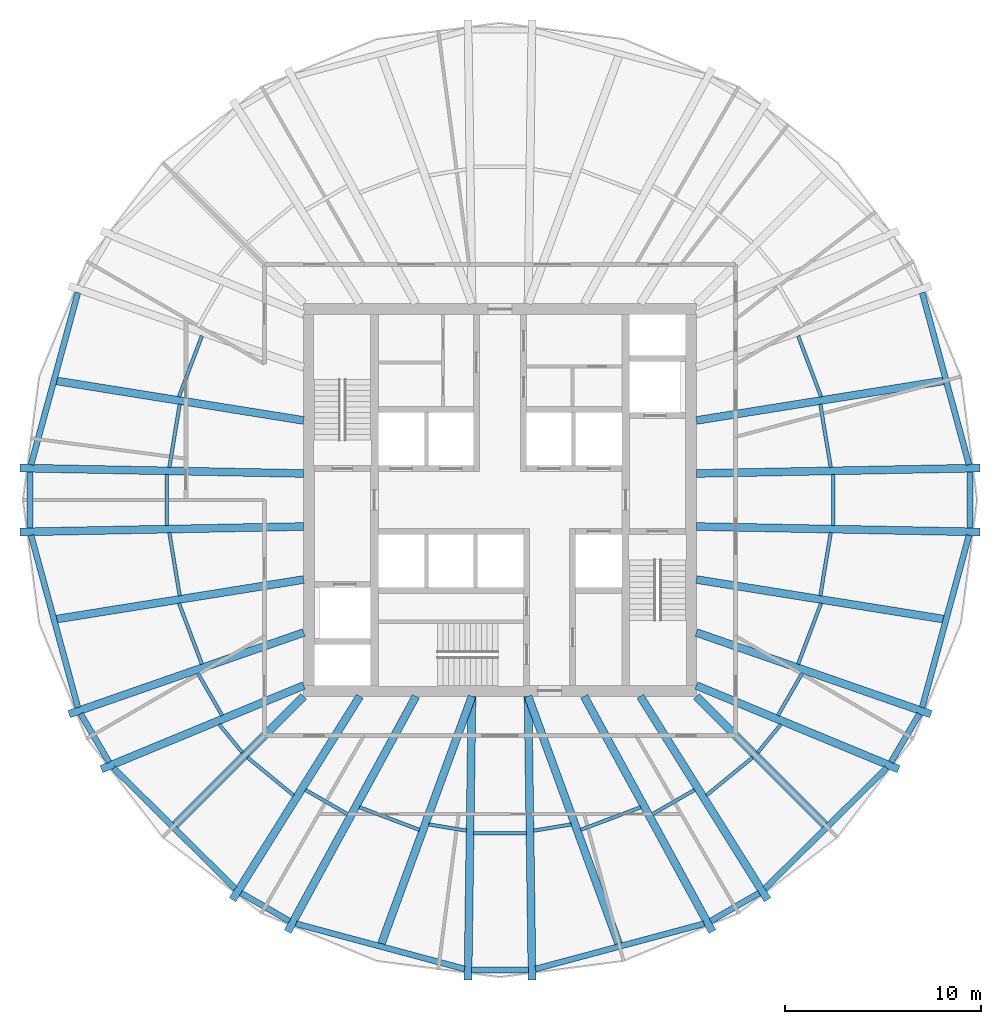
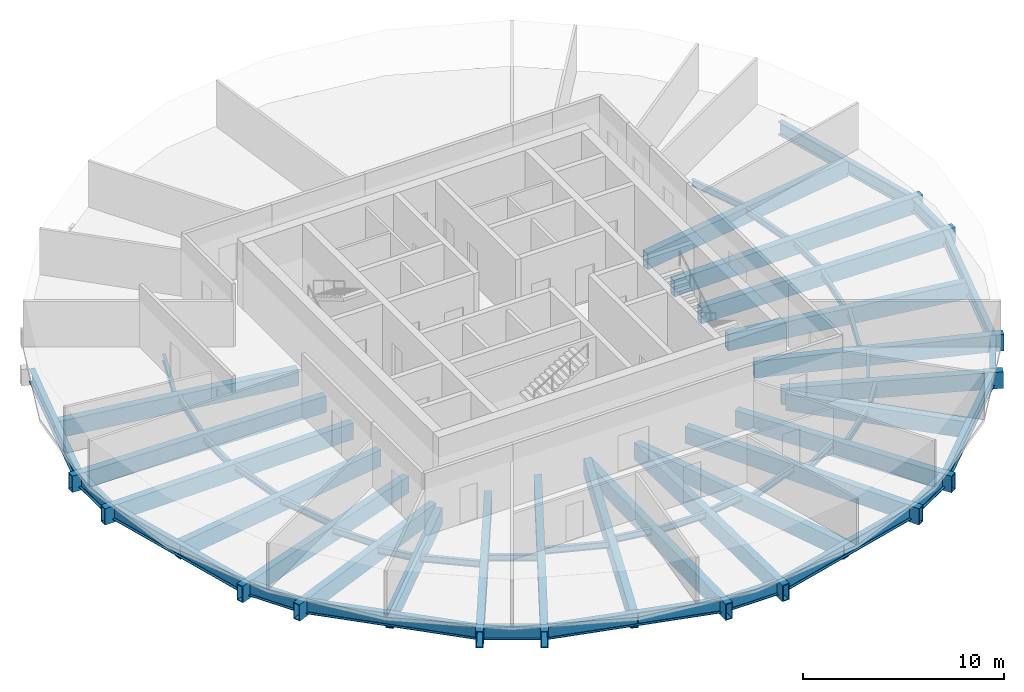
# One storey, part 1 of 6: 60 beams.
"""IFC4 building model written with IfcOpenShell, lengths in metres."""

from ifc_helpers import new_model, si_unit, direction, frame, origin, origin_2d, place, context, subcontext, project, spatial, hollow_rectangle, i_section, extrude, material, material_profile, profile_set, type_object, element, save


model = new_model("IFC4")

# Units and contexts
model_context = context("Model", 3, precision=1e-05, world=origin(), true_north=direction((0.0, 1.0)))
body_context = subcontext(model_context, "Body", "Model", "MODEL_VIEW")
ifc_project = project(units=[si_unit("LENGTHUNIT", "METRE"), si_unit("AREAUNIT", "SQUARE_METRE"), si_unit("VOLUMEUNIT", "CUBIC_METRE"), si_unit("PLANEANGLEUNIT", "RADIAN"), si_unit("MASSUNIT", "GRAM", prefix="KILO")], contexts=[model_context])

# Site, building, storey
site_placement = place(None, origin())
site = spatial("IfcSite", under=ifc_project, at=site_placement, CompositionType="ELEMENT")
building_placement = place(site_placement, origin())
building = spatial("IfcBuilding", under=site, at=building_placement, Name="Golbaran Civic Tower", CompositionType="ELEMENT")
storey_placement = place(building_placement, frame((0.0, 0.0, 146.0)))
storey = spatial("IfcBuildingStorey", under=building, at=storey_placement, Name="L35", CompositionType="ELEMENT", Elevation=146.0)

# Beams
ifc_material = material(Name="Steel S355", Category="steel")
ifc_material_profile_1 = material_profile(ifc_material, i_section(OverallWidth=0.300048828125, OverallDepth=0.800048828125, WebThickness=0.017578125, FlangeThickness=0.032958984375, FilletRadius=0.030029296875, at=origin_2d()), Name="HEB 800")
ifc_profile_set_1 = profile_set([ifc_material_profile_1], Name="Steel S355")
beam_type_1 = type_object("IfcBeamType", Name="EDGE BEAM HEB 800", PredefinedType="BEAM", material=ifc_profile_set_1)
for number, where, z_axis, x_axis, name in (
    (1, (23.882568359375, 1.79736328125, -0.60009765625), (-0.262630563673, 0.964896464407, 0.0), (-0.964896464407, -0.262630563673, 0.0), "Edge beam 3.75 L35"),
    (2, (-21.49755859375, 10.559814453125, -0.60009765625), (-0.262630563673, -0.964896464407, 0.0), (0.964896464407, -0.262630563673, 0.0), "Edge beam 153.75 L35"),
):
    element("IfcBeam", number, at=place(storey_placement, frame(where, z_axis=z_axis, x_axis=x_axis)), inside=storey, type_object=beam_type_1, Name=name, PredefinedType="BEAM", context=body_context, shape_type="SweptSolid", body=[
        extrude(i_section(OverallWidth=0.300048828125, OverallDepth=0.800048828125, WebThickness=0.017578125, FlangeThickness=0.032958984375, FilletRadius=0.030029296875, at=origin_2d()), origin(), (0.0, 0.0, 1.0), 9.081298828125),
    ])
beam_1_placement = place(storey_placement, frame((-23.931396484375, 1.438232421875, -0.60009765625), z_axis=(0.0, -1.0, 0.0), x_axis=(1.0, 0.0, 0.0)))
element("IfcBeam", 3, at=beam_1_placement, inside=storey, type_object=beam_type_1, Name="Edge beam 176.25 L35", PredefinedType="BEAM", context=body_context, shape_type="SweptSolid", body=[
    extrude(i_section(OverallWidth=0.300048828125, OverallDepth=0.800048828125, WebThickness=0.017578125, FlangeThickness=0.032958984375, FilletRadius=0.030029296875, at=origin_2d()), origin(), (0.0, 0.0, 1.0), 2.87646484375),
])
beam_2_placement = place(storey_placement, frame((-23.882568359375, -1.79736328125, -0.60009765625), z_axis=(0.262630563673, -0.964896464407, 0.0), x_axis=(0.964896464407, 0.262630563673, 0.0)))
element("IfcBeam", 4, at=beam_2_placement, inside=storey, type_object=beam_type_1, Name="Edge beam 183.75 L35", PredefinedType="BEAM", context=body_context, shape_type="SweptSolid", body=[
    extrude(i_section(OverallWidth=0.300048828125, OverallDepth=0.800048828125, WebThickness=0.017578125, FlangeThickness=0.032958984375, FilletRadius=0.030029296875, at=origin_2d()), origin(), (0.0, 0.0, 1.0), 9.081298828125),
])
beam_3_placement = place(storey_placement, frame((-21.357177734375, -10.89208984375, -0.60009765625), z_axis=(0.506444074261, -0.862272810452, 0.0), x_axis=(0.862272810452, 0.506444074261, 0.0)))
element("IfcBeam", 5, at=beam_3_placement, inside=storey, type_object=beam_type_1, Name="Edge beam 206.25 L35", PredefinedType="BEAM", context=body_context, shape_type="SweptSolid", body=[
    extrude(i_section(OverallWidth=0.300048828125, OverallDepth=0.800048828125, WebThickness=0.017578125, FlangeThickness=0.032958984375, FilletRadius=0.030029296875, at=origin_2d()), origin(), (0.0, 0.0, 1.0), 2.852783203125),
])
beam_4_placement = place(storey_placement, frame((-19.681884765625, -13.646240234375, -0.60009765625), z_axis=(0.709897225129, -0.704305281646, 0.0), x_axis=(0.704305281646, 0.709897225129, 0.0)))
element("IfcBeam", 6, at=beam_4_placement, inside=storey, type_object=beam_type_1, Name="Edge beam 213.75 L35", PredefinedType="BEAM", context=body_context, shape_type="SweptSolid", body=[
    extrude(i_section(OverallWidth=0.300048828125, OverallDepth=0.800048828125, WebThickness=0.017578125, FlangeThickness=0.032958984375, FilletRadius=0.030029296875, at=origin_2d()), origin(), (0.0, 0.0, 1.0), 8.73193359375),
])
beam_5_placement = place(storey_placement, frame((-13.196044921875, -20.01611328125, -0.60009765625), z_axis=(0.866144257683, -0.49979408248, 0.0), x_axis=(0.49979408248, 0.866144257683, 0.0)))
element("IfcBeam", 7, at=beam_5_placement, inside=storey, type_object=beam_type_1, Name="Edge beam 236.25 L35", PredefinedType="BEAM", context=body_context, shape_type="SweptSolid", body=[
    extrude(i_section(OverallWidth=0.300048828125, OverallDepth=0.800048828125, WebThickness=0.017578125, FlangeThickness=0.032958984375, FilletRadius=0.030029296875, at=origin_2d()), origin(), (0.0, 0.0, 1.0), 2.852294921875),
])
beam_6_placement = place(storey_placement, frame((-10.390869140625, -21.57958984375, -0.60009765625), z_axis=(0.965864791698, -0.259046721958, 0.0), x_axis=(0.259046721958, 0.965864791698, 0.0)))
element("IfcBeam", 8, at=beam_6_placement, inside=storey, type_object=beam_type_1, Name="Edge beam 243.75 L35", PredefinedType="BEAM", context=body_context, shape_type="SweptSolid", body=[
    extrude(i_section(OverallWidth=0.300048828125, OverallDepth=0.800048828125, WebThickness=0.017578125, FlangeThickness=0.032958984375, FilletRadius=0.030029296875, at=origin_2d()), origin(), (0.0, 0.0, 1.0), 8.89111328125),
])
beam_7_placement = place(storey_placement, frame((-1.444091796875, -23.930908203125, -0.60009765625), z_axis=(1.0, 0.0, 0.0), x_axis=(0.0, 1.0, 0.0)))
element("IfcBeam", 9, at=beam_7_placement, inside=storey, type_object=beam_type_1, Name="Edge beam 266.25 L35", PredefinedType="BEAM", context=body_context, shape_type="SweptSolid", body=[
    extrude(i_section(OverallWidth=0.300048828125, OverallDepth=0.800048828125, WebThickness=0.017578125, FlangeThickness=0.032958984375, FilletRadius=0.030029296875, at=origin_2d()), origin(), (0.0, 0.0, 1.0), 2.88818359375),
])
beam_8_placement = place(storey_placement, frame((1.80322265625, -23.8828125, -0.60009765625), z_axis=(0.965864791698, 0.259046721958, 0.0), x_axis=(-0.259046721958, 0.965864791698, 0.0)))
element("IfcBeam", 10, at=beam_8_placement, inside=storey, type_object=beam_type_1, Name="Edge beam 273.75 L35", PredefinedType="BEAM", context=body_context, shape_type="SweptSolid", body=[
    extrude(i_section(OverallWidth=0.300048828125, OverallDepth=0.800048828125, WebThickness=0.017578125, FlangeThickness=0.032958984375, FilletRadius=0.030029296875, at=origin_2d()), origin(), (0.0, 0.0, 1.0), 8.89111328125),
])
beam_9_placement = place(storey_placement, frame((10.7255859375, -21.441650390625, -0.60009765625), z_axis=(0.866144257683, 0.49979408248, 0.0), x_axis=(-0.49979408248, 0.866144257683, 0.0)))
element("IfcBeam", 11, at=beam_9_placement, inside=storey, type_object=beam_type_1, Name="Edge beam 296.25 L35", PredefinedType="BEAM", context=body_context, shape_type="SweptSolid", body=[
    extrude(i_section(OverallWidth=0.300048828125, OverallDepth=0.800048828125, WebThickness=0.017578125, FlangeThickness=0.032958984375, FilletRadius=0.030029296875, at=origin_2d()), origin(), (0.0, 0.0, 1.0), 2.852294921875),
])
beam_10_placement = place(storey_placement, frame((13.483154296875, -19.796142578125, -0.60009765625), z_axis=(0.709897225129, 0.704305281646, 0.0), x_axis=(-0.704305281646, 0.709897225129, 0.0)))
element("IfcBeam", 12, at=beam_10_placement, inside=storey, type_object=beam_type_1, Name="Edge beam 303.75 L35", PredefinedType="BEAM", context=body_context, shape_type="SweptSolid", body=[
    extrude(i_section(OverallWidth=0.300048828125, OverallDepth=0.800048828125, WebThickness=0.017578125, FlangeThickness=0.032958984375, FilletRadius=0.030029296875, at=origin_2d()), origin(), (0.0, 0.0, 1.0), 8.73193359375),
])
beam_11_placement = place(storey_placement, frame((19.912353515625, -13.35205078125, -0.60009765625), z_axis=(0.506444074261, 0.862272810452, 0.0), x_axis=(-0.862272810452, 0.506444074261, 0.0)))
element("IfcBeam", 13, at=beam_11_placement, inside=storey, type_object=beam_type_1, Name="Edge beam 326.25 L35", PredefinedType="BEAM", context=body_context, shape_type="SweptSolid", body=[
    extrude(i_section(OverallWidth=0.300048828125, OverallDepth=0.800048828125, WebThickness=0.017578125, FlangeThickness=0.032958984375, FilletRadius=0.030029296875, at=origin_2d()), origin(), (0.0, 0.0, 1.0), 2.852783203125),
])
beam_12_placement = place(storey_placement, frame((21.49755859375, -10.559814453125, -0.60009765625), z_axis=(0.262630563673, 0.964896464407, 0.0), x_axis=(-0.964896464407, 0.262630563673, 0.0)))
element("IfcBeam", 14, at=beam_12_placement, inside=storey, type_object=beam_type_1, Name="Edge beam 333.75 L35", PredefinedType="BEAM", context=body_context, shape_type="SweptSolid", body=[
    extrude(i_section(OverallWidth=0.300048828125, OverallDepth=0.800048828125, WebThickness=0.017578125, FlangeThickness=0.032958984375, FilletRadius=0.030029296875, at=origin_2d()), origin(), (0.0, 0.0, 1.0), 9.081298828125),
])
beam_13_placement = place(storey_placement, frame((23.931396484375, -1.438232421875, -0.60009765625), z_axis=(0.0, 1.0, 0.0), x_axis=(-1.0, 0.0, 0.0)))
element("IfcBeam", 15, at=beam_13_placement, inside=storey, type_object=beam_type_1, Name="Edge beam 356.25 L35", PredefinedType="BEAM", context=body_context, shape_type="SweptSolid", body=[
    extrude(i_section(OverallWidth=0.300048828125, OverallDepth=0.800048828125, WebThickness=0.017578125, FlangeThickness=0.032958984375, FilletRadius=0.030029296875, at=origin_2d()), origin(), (0.0, 0.0, 1.0), 2.87646484375),
])
ifc_material_profile_2 = material_profile(ifc_material, i_section(OverallWidth=0.179931640625, OverallDepth=0.39990234375, WebThickness=0.008544921875, FlangeThickness=0.013427734375, FilletRadius=0.02099609375, at=origin_2d()), Name="IPE 400")
ifc_profile_set_2 = profile_set([ifc_material_profile_2], Name="Steel S355")
beam_type_2 = type_object("IfcBeamType", Name="FLOOR INFILL BEAM IPE 400", PredefinedType="BEAM", material=ifc_profile_set_2)
beam_14_placement = place(storey_placement, frame((16.841552734375, 1.66162109375, -0.39990234375), z_axis=(-0.162795867055, 0.986659771993, 0.0), x_axis=(-0.986659771993, -0.162795867055, 0.0)))
element("IfcBeam", 16, at=beam_14_placement, inside=storey, type_object=beam_type_2, Name="Infill beam 9.37 L35", PredefinedType="BEAM", context=body_context, shape_type="SweptSolid", body=[
    extrude(i_section(OverallWidth=0.179931640625, OverallDepth=0.39990234375, WebThickness=0.008544921875, FlangeThickness=0.013427734375, FilletRadius=0.02099609375, at=origin_2d()), origin(), (0.0, 0.0, 1.0), 3.26025390625),
])
for number, where, z_axis, x_axis, name in (
    (17, (16.35205078125, 5.249755859375, -0.39990234375), (-0.352338080628, 0.935872788866, 0.0), (-0.935872788866, -0.352338080628, 0.0), "Infill beam 20.63 L35"),
    (18, (-15.180419921875, 8.36181640625, -0.39990234375), (-0.352338080628, -0.935872788866, 0.0), (0.935872788866, -0.352338080628, 0.0), "Infill beam 159.37 L35"),
):
    element("IfcBeam", number, at=place(storey_placement, frame(where, z_axis=z_axis, x_axis=x_axis)), inside=storey, type_object=beam_type_2, Name=name, PredefinedType="BEAM", context=body_context, shape_type="SweptSolid", body=[
        extrude(i_section(OverallWidth=0.179931640625, OverallDepth=0.39990234375, WebThickness=0.008544921875, FlangeThickness=0.013427734375, FilletRadius=0.02099609375, at=origin_2d()), origin(), (0.0, 0.0, 1.0), 3.3251953125),
    ])
beam_15_placement = place(storey_placement, frame((-16.310791015625, 4.87841796875, -0.39990234375), z_axis=(-0.162795867055, -0.986659771993, 0.0), x_axis=(0.986659771993, -0.162795867055, 0.0)))
element("IfcBeam", 19, at=beam_15_placement, inside=storey, type_object=beam_type_2, Name="Infill beam 170.63 L35", PredefinedType="BEAM", context=body_context, shape_type="SweptSolid", body=[
    extrude(i_section(OverallWidth=0.179931640625, OverallDepth=0.39990234375, WebThickness=0.008544921875, FlangeThickness=0.013427734375, FilletRadius=0.02099609375, at=origin_2d()), origin(), (0.0, 0.0, 1.0), 3.26025390625),
])
beam_16_placement = place(storey_placement, frame((-16.965576171875, 1.303955078125, -0.39990234375), z_axis=(0.0, -1.0, 0.0), x_axis=(1.0, 0.0, 0.0)))
element("IfcBeam", 20, at=beam_16_placement, inside=storey, type_object=beam_type_2, Name="Infill beam 180.00 L35", PredefinedType="BEAM", context=body_context, shape_type="SweptSolid", body=[
    extrude(i_section(OverallWidth=0.179931640625, OverallDepth=0.39990234375, WebThickness=0.008544921875, FlangeThickness=0.013427734375, FilletRadius=0.02099609375, at=origin_2d()), origin(), (0.0, 0.0, 1.0), 2.60791015625),
])
beam_17_placement = place(storey_placement, frame((-16.841552734375, -1.66162109375, -0.39990234375), z_axis=(0.162795867055, -0.986659771993, 0.0), x_axis=(0.986659771993, 0.162795867055, 0.0)))
element("IfcBeam", 21, at=beam_17_placement, inside=storey, type_object=beam_type_2, Name="Infill beam 189.37 L35", PredefinedType="BEAM", context=body_context, shape_type="SweptSolid", body=[
    extrude(i_section(OverallWidth=0.179931640625, OverallDepth=0.39990234375, WebThickness=0.008544921875, FlangeThickness=0.013427734375, FilletRadius=0.02099609375, at=origin_2d()), origin(), (0.0, 0.0, 1.0), 3.26025390625),
])
beam_18_placement = place(storey_placement, frame((-16.35205078125, -5.249755859375, -0.39990234375), z_axis=(0.352338080628, -0.935872788866, 0.0), x_axis=(0.935872788866, 0.352338080628, 0.0)))
element("IfcBeam", 22, at=beam_18_placement, inside=storey, type_object=beam_type_2, Name="Infill beam 200.63 L35", PredefinedType="BEAM", context=body_context, shape_type="SweptSolid", body=[
    extrude(i_section(OverallWidth=0.179931640625, OverallDepth=0.39990234375, WebThickness=0.008544921875, FlangeThickness=0.013427734375, FilletRadius=0.02099609375, at=origin_2d()), origin(), (0.0, 0.0, 1.0), 3.3251953125),
])
beam_19_placement = place(storey_placement, frame((-15.3935546875, -8.817138671875, -0.39990234375), z_axis=(0.499983108224, -0.866035156036, 0.0), x_axis=(0.866035156036, 0.499983108224, 0.0)))
element("IfcBeam", 23, at=beam_19_placement, inside=storey, type_object=beam_type_2, Name="Infill beam 210.00 L35", PredefinedType="BEAM", context=body_context, shape_type="SweptSolid", body=[
    extrude(i_section(OverallWidth=0.179931640625, OverallDepth=0.39990234375, WebThickness=0.008544921875, FlangeThickness=0.013427734375, FilletRadius=0.02099609375, at=origin_2d()), origin(), (0.0, 0.0, 1.0), 2.486328125),
])
beam_20_placement = place(storey_placement, frame((-14.30419921875, -11.423583984375, -0.39990234375), z_axis=(0.634348693191, -0.773047046076, 0.0), x_axis=(0.773047046076, 0.634348693191, 0.0)))
element("IfcBeam", 24, at=beam_20_placement, inside=storey, type_object=beam_type_2, Name="Infill beam 219.37 L35", PredefinedType="BEAM", context=body_context, shape_type="SweptSolid", body=[
    extrude(i_section(OverallWidth=0.179931640625, OverallDepth=0.39990234375, WebThickness=0.008544921875, FlangeThickness=0.013427734375, FilletRadius=0.02099609375, at=origin_2d()), origin(), (0.0, 0.0, 1.0), 1.86572265625),
])
beam_21_placement = place(storey_placement, frame((-12.859619140625, -13.114013671875, -0.39990234375), z_axis=(0.773044086455, -0.634352299907, 0.0), x_axis=(0.634352299907, 0.773044086455, 0.0)))
element("IfcBeam", 25, at=beam_21_placement, inside=storey, type_object=beam_type_2, Name="Infill beam 230.63 L35", PredefinedType="BEAM", context=body_context, shape_type="SweptSolid", body=[
    extrude(i_section(OverallWidth=0.179931640625, OverallDepth=0.39990234375, WebThickness=0.008544921875, FlangeThickness=0.013427734375, FilletRadius=0.02099609375, at=origin_2d()), origin(), (0.0, 0.0, 1.0), 3.0400390625),
])
beam_22_placement = place(storey_placement, frame((-9.90966796875, -14.762451171875, -0.39990234375), z_axis=(0.866005271205, -0.500034869029, 0.0), x_axis=(0.500034869029, 0.866005271205, 0.0)))
element("IfcBeam", 26, at=beam_22_placement, inside=storey, type_object=beam_type_2, Name="Infill beam 240.00 L35", PredefinedType="BEAM", context=body_context, shape_type="SweptSolid", body=[
    extrude(i_section(OverallWidth=0.179931640625, OverallDepth=0.39990234375, WebThickness=0.008544921875, FlangeThickness=0.013427734375, FilletRadius=0.02099609375, at=origin_2d()), origin(), (0.0, 0.0, 1.0), 2.480224609375),
])
beam_23_placement = place(storey_placement, frame((-7.158447265625, -15.64794921875, -0.39990234375), z_axis=(0.93588812871, -0.352297332575, 0.0), x_axis=(0.352297332575, 0.93588812871, 0.0)))
element("IfcBeam", 27, at=beam_23_placement, inside=storey, type_object=beam_type_2, Name="Infill beam 249.37 L35", PredefinedType="BEAM", context=body_context, shape_type="SweptSolid", body=[
    extrude(i_section(OverallWidth=0.179931640625, OverallDepth=0.39990234375, WebThickness=0.008544921875, FlangeThickness=0.013427734375, FilletRadius=0.02099609375, at=origin_2d()), origin(), (0.0, 0.0, 1.0), 3.258544921875),
])
beam_24_placement = place(storey_placement, frame((-3.625244140625, -16.5224609375, -0.39990234375), z_axis=(0.986640247063, -0.162914157994, 0.0), x_axis=(0.162914157994, 0.986640247063, 0.0)))
element("IfcBeam", 28, at=beam_24_placement, inside=storey, type_object=beam_type_2, Name="Infill beam 260.63 L35", PredefinedType="BEAM", context=body_context, shape_type="SweptSolid", body=[
    extrude(i_section(OverallWidth=0.179931640625, OverallDepth=0.39990234375, WebThickness=0.008544921875, FlangeThickness=0.013427734375, FilletRadius=0.02099609375, at=origin_2d()), origin(), (0.0, 0.0, 1.0), 1.94677734375),
])
beam_25_placement = place(storey_placement, frame((-1.34619140625, -16.965576171875, -0.39990234375), z_axis=(1.0, 0.0, 0.0), x_axis=(0.0, 1.0, 0.0)))
element("IfcBeam", 29, at=beam_25_placement, inside=storey, type_object=beam_type_2, Name="Infill beam 270.00 L35", PredefinedType="BEAM", context=body_context, shape_type="SweptSolid", body=[
    extrude(i_section(OverallWidth=0.179931640625, OverallDepth=0.39990234375, WebThickness=0.008544921875, FlangeThickness=0.013427734375, FilletRadius=0.02099609375, at=origin_2d()), origin(), (0.0, 0.0, 1.0), 2.6923828125),
])
beam_26_placement = place(storey_placement, frame((1.70458984375, -16.839599609375, -0.39990234375), z_axis=(0.986640247063, 0.162914157994, 0.0), x_axis=(-0.162914157994, 0.986640247063, 0.0)))
element("IfcBeam", 30, at=beam_26_placement, inside=storey, type_object=beam_type_2, Name="Infill beam 279.37 L35", PredefinedType="BEAM", context=body_context, shape_type="SweptSolid", body=[
    extrude(i_section(OverallWidth=0.179931640625, OverallDepth=0.39990234375, WebThickness=0.008544921875, FlangeThickness=0.013427734375, FilletRadius=0.02099609375, at=origin_2d()), origin(), (0.0, 0.0, 1.0), 1.94677734375),
])
beam_27_placement = place(storey_placement, frame((4.10888671875, -16.7958984375, -0.39990234375), z_axis=(0.93588812871, 0.352297332575, 0.0), x_axis=(-0.352297332575, 0.93588812871, 0.0)))
element("IfcBeam", 31, at=beam_27_placement, inside=storey, type_object=beam_type_2, Name="Infill beam 290.63 L35", PredefinedType="BEAM", context=body_context, shape_type="SweptSolid", body=[
    extrude(i_section(OverallWidth=0.179931640625, OverallDepth=0.39990234375, WebThickness=0.008544921875, FlangeThickness=0.013427734375, FilletRadius=0.02099609375, at=origin_2d()), origin(), (0.0, 0.0, 1.0), 3.258544921875),
])
beam_28_placement = place(storey_placement, frame((7.76171875, -16.002685546875, -0.39990234375), z_axis=(0.866005271205, 0.500034869029, 0.0), x_axis=(-0.500034869029, 0.866005271205, 0.0)))
element("IfcBeam", 32, at=beam_28_placement, inside=storey, type_object=beam_type_2, Name="Infill beam 300.00 L35", PredefinedType="BEAM", context=body_context, shape_type="SweptSolid", body=[
    extrude(i_section(OverallWidth=0.179931640625, OverallDepth=0.39990234375, WebThickness=0.008544921875, FlangeThickness=0.013427734375, FilletRadius=0.02099609375, at=origin_2d()), origin(), (0.0, 0.0, 1.0), 2.480224609375),
])
beam_29_placement = place(storey_placement, frame((10.509521484375, -15.04248046875, -0.39990234375), z_axis=(0.773044086455, 0.634352299907, 0.0), x_axis=(-0.634352299907, 0.773044086455, 0.0)))
element("IfcBeam", 33, at=beam_29_placement, inside=storey, type_object=beam_type_2, Name="Infill beam 309.37 L35", PredefinedType="BEAM", context=body_context, shape_type="SweptSolid", body=[
    extrude(i_section(OverallWidth=0.179931640625, OverallDepth=0.39990234375, WebThickness=0.008544921875, FlangeThickness=0.013427734375, FilletRadius=0.02099609375, at=origin_2d()), origin(), (0.0, 0.0, 1.0), 3.0400390625),
])
beam_30_placement = place(storey_placement, frame((13.12060546875, -12.865966796875, -0.39990234375), z_axis=(0.634348693191, 0.773047046076, 0.0), x_axis=(-0.773047046076, 0.634348693191, 0.0)))
element("IfcBeam", 34, at=beam_30_placement, inside=storey, type_object=beam_type_2, Name="Infill beam 320.63 L35", PredefinedType="BEAM", context=body_context, shape_type="SweptSolid", body=[
    extrude(i_section(OverallWidth=0.179931640625, OverallDepth=0.39990234375, WebThickness=0.008544921875, FlangeThickness=0.013427734375, FilletRadius=0.02099609375, at=origin_2d()), origin(), (0.0, 0.0, 1.0), 1.86572265625),
])
beam_31_placement = place(storey_placement, frame((14.150390625, -10.970458984375, -0.39990234375), z_axis=(0.499983108224, 0.866035156036, 0.0), x_axis=(-0.866035156036, 0.499983108224, 0.0)))
element("IfcBeam", 35, at=beam_31_placement, inside=storey, type_object=beam_type_2, Name="Infill beam 330.00 L35", PredefinedType="BEAM", context=body_context, shape_type="SweptSolid", body=[
    extrude(i_section(OverallWidth=0.179931640625, OverallDepth=0.39990234375, WebThickness=0.008544921875, FlangeThickness=0.013427734375, FilletRadius=0.02099609375, at=origin_2d()), origin(), (0.0, 0.0, 1.0), 2.486328125),
])
beam_32_placement = place(storey_placement, frame((15.180419921875, -8.36181640625, -0.39990234375), z_axis=(0.352338080628, 0.935872788866, 0.0), x_axis=(-0.935872788866, 0.352338080628, 0.0)))
element("IfcBeam", 36, at=beam_32_placement, inside=storey, type_object=beam_type_2, Name="Infill beam 339.37 L35", PredefinedType="BEAM", context=body_context, shape_type="SweptSolid", body=[
    extrude(i_section(OverallWidth=0.179931640625, OverallDepth=0.39990234375, WebThickness=0.008544921875, FlangeThickness=0.013427734375, FilletRadius=0.02099609375, at=origin_2d()), origin(), (0.0, 0.0, 1.0), 3.3251953125),
])
beam_33_placement = place(storey_placement, frame((16.310791015625, -4.87841796875, -0.39990234375), z_axis=(0.162795867055, 0.986659771993, 0.0), x_axis=(-0.986659771993, 0.162795867055, 0.0)))
element("IfcBeam", 37, at=beam_33_placement, inside=storey, type_object=beam_type_2, Name="Infill beam 350.63 L35", PredefinedType="BEAM", context=body_context, shape_type="SweptSolid", body=[
    extrude(i_section(OverallWidth=0.179931640625, OverallDepth=0.39990234375, WebThickness=0.008544921875, FlangeThickness=0.013427734375, FilletRadius=0.02099609375, at=origin_2d()), origin(), (0.0, 0.0, 1.0), 3.26025390625),
])
beam_34_placement = place(storey_placement, frame((16.965576171875, -1.303955078125, -0.39990234375), z_axis=(0.0, 1.0, 0.0), x_axis=(-1.0, 0.0, 0.0)))
element("IfcBeam", 38, at=beam_34_placement, inside=storey, type_object=beam_type_2, Name="Infill beam 0.00 L35", PredefinedType="BEAM", context=body_context, shape_type="SweptSolid", body=[
    extrude(i_section(OverallWidth=0.179931640625, OverallDepth=0.39990234375, WebThickness=0.008544921875, FlangeThickness=0.013427734375, FilletRadius=0.02099609375, at=origin_2d()), origin(), (0.0, 0.0, 1.0), 2.60791015625),
])
ifc_material_profile_3 = material_profile(ifc_material, hollow_rectangle(XDim=0.39990234375, YDim=1.0, WallThickness=0.050048828125, at=origin_2d()), Name="BOX 1000x400x50")
ifc_profile_set_3 = profile_set([ifc_material_profile_3], Name="Steel S355")
beam_type_3 = type_object("IfcBeamType", Name="RADIAL FLOOR BEAM BOX 1000x400x50", PredefinedType="BEAM", material=ifc_profile_set_3)
for number, where, z_axis, x_axis, name in (
    (39, (10.0, 1.35009765625, -0.7099609375), (0.99981500254, 0.019234362391, 0.0), (-0.019234362391, 0.99981500254, 0.0), "Radial beam 3.75 L35"),
    (40, (-10.0, 1.35009765625, -0.7099609375), (-0.99981500254, 0.019234362391, 0.0), (-0.019234362391, -0.99981500254, 0.0), "Radial beam 176.25 L35"),
    (41, (-10.0, -1.35009765625, -0.7099609375), (-0.99981500254, -0.019234362391, 0.0), (0.019234362391, -0.99981500254, 0.0), "Radial beam 183.75 L35"),
):
    element("IfcBeam", number, at=place(storey_placement, frame(where, z_axis=z_axis, x_axis=x_axis)), inside=storey, type_object=beam_type_3, Name=name, PredefinedType="BEAM", context=body_context, shape_type="SweptSolid", body=[
        extrude(hollow_rectangle(XDim=0.39990234375, YDim=1.0, WallThickness=0.050048828125, at=origin_2d()), origin(), (0.0, 0.0, 1.0), 14.444580078125),
    ])
beam_35_placement = place(storey_placement, frame((-10.0, -6.75, -0.7099609375), z_axis=(-0.944467876409, -0.328603759003, 0.0), x_axis=(0.328603759003, -0.944467876409, 0.0)))
element("IfcBeam", 42, at=beam_35_placement, inside=storey, type_object=beam_type_3, Name="Radial beam 206.25 L35", PredefinedType="BEAM", context=body_context, shape_type="SweptSolid", body=[
    extrude(hollow_rectangle(XDim=0.39990234375, YDim=1.0, WallThickness=0.050048828125, at=origin_2d()), origin(), (0.0, 0.0, 1.0), 12.64306640625),
])
beam_36_placement = place(storey_placement, frame((-10.0, -9.449951171875, -0.7099609375), z_axis=(-0.924174511339, -0.381970512724, 0.0), x_axis=(0.381970512724, -0.924174511339, 0.0)))
element("IfcBeam", 43, at=beam_36_placement, inside=storey, type_object=beam_type_3, Name="Radial beam 213.75 L35", PredefinedType="BEAM", context=body_context, shape_type="SweptSolid", body=[
    extrude(hollow_rectangle(XDim=0.39990234375, YDim=1.0, WallThickness=0.050048828125, at=origin_2d()), origin(), (0.0, 0.0, 1.0), 11.142578125),
])
beam_37_placement = place(storey_placement, frame((-7.142822265625, -10.0, -0.7099609375), z_axis=(-0.530338338936, -0.847786085198, 0.0), x_axis=(0.847786085198, -0.530338338936, 0.0)))
element("IfcBeam", 44, at=beam_37_placement, inside=storey, type_object=beam_type_3, Name="Radial beam 236.25 L35", PredefinedType="BEAM", context=body_context, shape_type="SweptSolid", body=[
    extrude(hollow_rectangle(XDim=0.39990234375, YDim=1.0, WallThickness=0.050048828125, at=origin_2d()), origin(), (0.0, 0.0, 1.0), 12.218994140625),
])
beam_38_placement = place(storey_placement, frame((-4.28564453125, -10.0, -0.7099609375), z_axis=(-0.478514836711, -0.878079467387, 0.0), x_axis=(0.878079467387, -0.478514836711, 0.0)))
element("IfcBeam", 45, at=beam_38_placement, inside=storey, type_object=beam_type_3, Name="Radial beam 243.75 L35", PredefinedType="BEAM", context=body_context, shape_type="SweptSolid", body=[
    extrude(hollow_rectangle(XDim=0.39990234375, YDim=1.0, WallThickness=0.050048828125, at=origin_2d()), origin(), (0.0, 0.0, 1.0), 13.643310546875),
])
for number, where, z_axis, x_axis, name in (
    (46, (-1.428466796875, -10.0, -0.7099609375), (-0.014030029021, -0.999901574299, 0.0), (0.999901574299, -0.014030029021, 0.0), "Radial beam 266.25 L35"),
    (47, (1.428466796875, -10.0, -0.7099609375), (0.014030029021, -0.999901574299, 0.0), (0.999901574299, 0.014030029021, 0.0), "Radial beam 273.75 L35"),
):
    element("IfcBeam", number, at=place(storey_placement, frame(where, z_axis=z_axis, x_axis=x_axis)), inside=storey, type_object=beam_type_3, Name=name, PredefinedType="BEAM", context=body_context, shape_type="SweptSolid", body=[
        extrude(hollow_rectangle(XDim=0.39990234375, YDim=1.0, WallThickness=0.050048828125, at=origin_2d()), origin(), (0.0, 0.0, 1.0), 14.443115234375),
    ])
beam_39_placement = place(storey_placement, frame((4.28564453125, -10.0, -0.7099609375), z_axis=(0.478514836711, -0.878079467387, 0.0), x_axis=(0.878079467387, 0.478514836711, 0.0)))
element("IfcBeam", 48, at=beam_39_placement, inside=storey, type_object=beam_type_3, Name="Radial beam 296.25 L35", PredefinedType="BEAM", context=body_context, shape_type="SweptSolid", body=[
    extrude(hollow_rectangle(XDim=0.39990234375, YDim=1.0, WallThickness=0.050048828125, at=origin_2d()), origin(), (0.0, 0.0, 1.0), 13.643310546875),
])
beam_40_placement = place(storey_placement, frame((7.142822265625, -10.0, -0.7099609375), z_axis=(0.530338338936, -0.847786085198, 0.0), x_axis=(0.847786085198, 0.530338338936, 0.0)))
element("IfcBeam", 49, at=beam_40_placement, inside=storey, type_object=beam_type_3, Name="Radial beam 303.75 L35", PredefinedType="BEAM", context=body_context, shape_type="SweptSolid", body=[
    extrude(hollow_rectangle(XDim=0.39990234375, YDim=1.0, WallThickness=0.050048828125, at=origin_2d()), origin(), (0.0, 0.0, 1.0), 12.218994140625),
])
beam_41_placement = place(storey_placement, frame((10.0, -9.449951171875, -0.7099609375), z_axis=(0.924174511339, -0.381970512724, 0.0), x_axis=(0.381970512724, 0.924174511339, 0.0)))
element("IfcBeam", 50, at=beam_41_placement, inside=storey, type_object=beam_type_3, Name="Radial beam 326.25 L35", PredefinedType="BEAM", context=body_context, shape_type="SweptSolid", body=[
    extrude(hollow_rectangle(XDim=0.39990234375, YDim=1.0, WallThickness=0.050048828125, at=origin_2d()), origin(), (0.0, 0.0, 1.0), 11.142578125),
])
beam_42_placement = place(storey_placement, frame((10.0, -6.75, -0.7099609375), z_axis=(0.944467876409, -0.328603759003, 0.0), x_axis=(0.328603759003, 0.944467876409, 0.0)))
element("IfcBeam", 51, at=beam_42_placement, inside=storey, type_object=beam_type_3, Name="Radial beam 333.75 L35", PredefinedType="BEAM", context=body_context, shape_type="SweptSolid", body=[
    extrude(hollow_rectangle(XDim=0.39990234375, YDim=1.0, WallThickness=0.050048828125, at=origin_2d()), origin(), (0.0, 0.0, 1.0), 12.64306640625),
])
beam_43_placement = place(storey_placement, frame((10.0, -1.35009765625, -0.7099609375), z_axis=(0.99981500254, -0.019234362391, 0.0), x_axis=(0.019234362391, 0.99981500254, 0.0)))
element("IfcBeam", 52, at=beam_43_placement, inside=storey, type_object=beam_type_3, Name="Radial beam 356.25 L35", PredefinedType="BEAM", context=body_context, shape_type="SweptSolid", body=[
    extrude(hollow_rectangle(XDim=0.39990234375, YDim=1.0, WallThickness=0.050048828125, at=origin_2d()), origin(), (0.0, 0.0, 1.0), 14.444580078125),
])
ifc_material_profile_4 = material_profile(ifc_material, hollow_rectangle(XDim=0.39990234375, YDim=1.0, WallThickness=0.0400390625, at=origin_2d()), Name="BOX 1000x400x40")
ifc_profile_set_4 = profile_set([ifc_material_profile_4], Name="Steel S355")
beam_type_4 = type_object("IfcBeamType", Name="SECONDARY FLOOR BEAM BOX 1000x400x40", PredefinedType="BEAM", material=ifc_profile_set_4)
for number, where, z_axis, x_axis, name in (
    (53, (10.0, 4.050048828125, -0.7099609375), (0.987416840327, 0.158139126844, 0.0), (-0.158139126844, 0.987416840327, 0.0), "Secondary beam 15.00 L35"),
    (54, (-10.0, 4.050048828125, -0.7099609375), (-0.987416840327, 0.158139126844, 0.0), (-0.158139126844, -0.987416840327, 0.0), "Secondary beam 165.00 L35"),
    (55, (-10.0, -4.050048828125, -0.7099609375), (-0.987416840327, -0.158139126844, 0.0), (0.158139126844, -0.987416840327, 0.0), "Secondary beam 195.00 L35"),
):
    element("IfcBeam", number, at=place(storey_placement, frame(where, z_axis=z_axis, x_axis=x_axis)), inside=storey, type_object=beam_type_4, Name=name, PredefinedType="BEAM", context=body_context, shape_type="SweptSolid", body=[
        extrude(hollow_rectangle(XDim=0.39990234375, YDim=1.0, WallThickness=0.0400390625, at=origin_2d()), origin(), (0.0, 0.0, 1.0), 12.877197265625),
    ])
beam_44_placement = place(storey_placement, frame((-10.0, -10.0, -0.7099609375), z_axis=(-0.707106781187, -0.707106781187, 0.0), x_axis=(0.707106781187, -0.707106781187, 0.0)))
element("IfcBeam", 56, at=beam_44_placement, inside=storey, type_object=beam_type_4, Name="Secondary beam 225.00 L35", PredefinedType="BEAM", context=body_context, shape_type="SweptSolid", body=[
    extrude(hollow_rectangle(XDim=0.39990234375, YDim=1.0, WallThickness=0.0400390625, at=origin_2d()), origin(), (0.0, 0.0, 1.0), 9.407470703125),
])
for number, where, z_axis, x_axis, name in (
    (57, (-1.428466796875, -10.0, -0.7099609375), (-0.343871602002, -0.93901667788, 0.0), (0.93901667788, -0.343871602002, 0.0), "Secondary beam 255.00 L35"),
    (58, (1.428466796875, -10.0, -0.7099609375), (0.343871602002, -0.93901667788, 0.0), (0.93901667788, 0.343871602002, 0.0), "Secondary beam 285.00 L35"),
):
    element("IfcBeam", number, at=place(storey_placement, frame(where, z_axis=z_axis, x_axis=x_axis)), inside=storey, type_object=beam_type_4, Name=name, PredefinedType="BEAM", context=body_context, shape_type="SweptSolid", body=[
        extrude(hollow_rectangle(XDim=0.39990234375, YDim=1.0, WallThickness=0.0400390625, at=origin_2d()), origin(), (0.0, 0.0, 1.0), 13.559814453125),
    ])
beam_45_placement = place(storey_placement, frame((10.0, -10.0, -0.7099609375), z_axis=(0.707106781187, -0.707106781187, 0.0), x_axis=(0.707106781187, 0.707106781187, 0.0)))
element("IfcBeam", 59, at=beam_45_placement, inside=storey, type_object=beam_type_4, Name="Secondary beam 315.00 L35", PredefinedType="BEAM", context=body_context, shape_type="SweptSolid", body=[
    extrude(hollow_rectangle(XDim=0.39990234375, YDim=1.0, WallThickness=0.0400390625, at=origin_2d()), origin(), (0.0, 0.0, 1.0), 9.407470703125),
])
beam_46_placement = place(storey_placement, frame((10.0, -4.050048828125, -0.7099609375), z_axis=(0.987416840327, -0.158139126844, 0.0), x_axis=(0.158139126844, 0.987416840327, 0.0)))
element("IfcBeam", 60, at=beam_46_placement, inside=storey, type_object=beam_type_4, Name="Secondary beam 345.00 L35", PredefinedType="BEAM", context=body_context, shape_type="SweptSolid", body=[
    extrude(hollow_rectangle(XDim=0.39990234375, YDim=1.0, WallThickness=0.0400390625, at=origin_2d()), origin(), (0.0, 0.0, 1.0), 12.877197265625),
])

save(model, "model.ifc")
